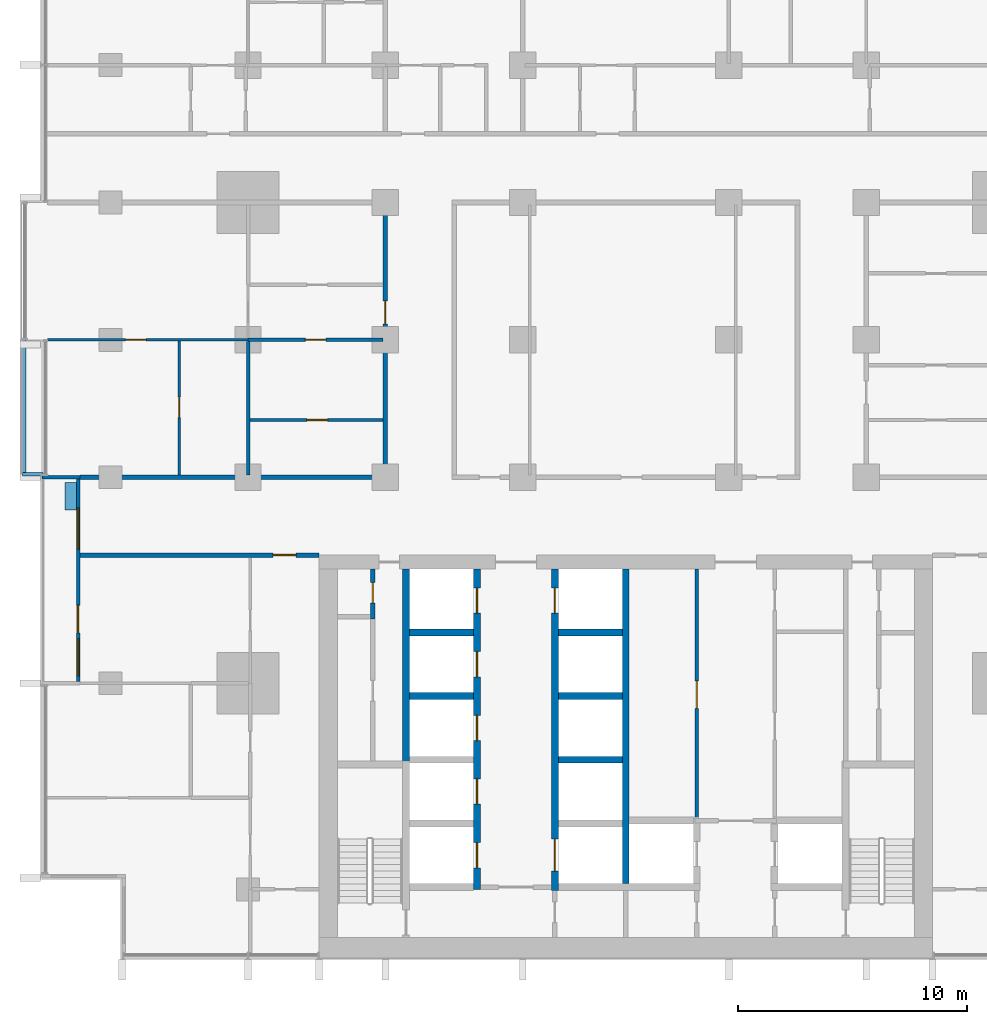
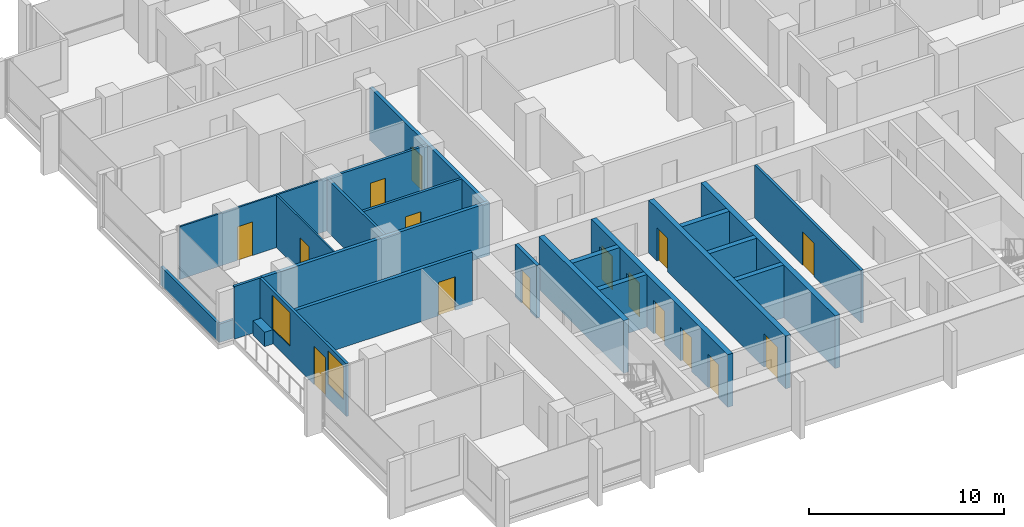
# One storey, part 8 of 19: 24 walls, 16 doors, 2 windows, 18 openings.
"""IFC4 building model written with IfcOpenShell, lengths in metres."""

from ifc_helpers import new_model, si_unit, direction, frame, frame_2d, origin, place, context, subcontext, project, spatial, rectangle, extrude, material, layer, layer_set, type_object, element, fill, save


model = new_model("IFC4")

# Units and contexts
model_context = context("Model", 3, precision=1e-05, world=origin(), true_north=direction((0.0, 1.0)))
body_context = subcontext(model_context, "Body", "Model", "MODEL_VIEW")
ifc_project = project(units=[si_unit("LENGTHUNIT", "METRE"), si_unit("AREAUNIT", "SQUARE_METRE"), si_unit("VOLUMEUNIT", "CUBIC_METRE"), si_unit("PLANEANGLEUNIT", "RADIAN"), si_unit("MASSUNIT", "GRAM", prefix="KILO")], contexts=[model_context])

# Site, building, storey
site_placement = place(None, origin())
site = spatial("IfcSite", under=ifc_project, at=site_placement, CompositionType="ELEMENT")
building_placement = place(site_placement, origin())
building = spatial("IfcBuilding", under=site, at=building_placement, Name="Finial Court Residences", CompositionType="ELEMENT")
storey_placement = place(building_placement, frame((0.0, 0.0, 88.300048828125)))
storey = spatial("IfcBuildingStorey", under=building, at=storey_placement, Name="L21", CompositionType="ELEMENT", Elevation=88.300048828125)

# Wall, opening, door
ifc_material_1 = material(Name="Fire-rated gypsum board partition")
ifc_layer_1 = layer(ifc_material_1, 0.14990234375)
ifc_layer_set_1 = layer_set([ifc_layer_1], Name="Core room partition 150 EI 60")
wall_type_1 = type_object("IfcWallType", Name="Core room partition 150 EI 60", PredefinedType="PARTITIONING", material=ifc_layer_set_1)
wall_1_placement = place(storey_placement, frame((3.10009765625, -19.39990234375, 0.0), z_axis=(0.0, 0.0, 1.0), x_axis=(0.0, 1.0, 0.0)))
wall_1 = element("IfcWall", 1, at=wall_1_placement, inside=storey, type_object=wall_type_1, Name="Core partition L21-32", PredefinedType="PARTITIONING", context=body_context, shape_type="SweptSolid", body=[
    extrude(rectangle(XDim=10.89990234375, YDim=0.14990234375, at=frame_2d((5.449951171875, 0.0))), origin(), (0.0, 0.0, 1.0), 3.300048828125),
])
opening_1_placement = place(wall_1_placement, frame((4.800048828125, 0.0, 0.0)))
opening_1 = element("IfcOpeningElement", 2, at=opening_1_placement, cuts=wall_1, Name="Opening L21-C14", PredefinedType="OPENING", context=body_context, shape_type="SweptSolid", body=[
    extrude(rectangle(XDim=1.199951171875, YDim=2.10009765625, at=frame_2d((0.60009765625, 1.050048828125))), frame((0.0, 0.0849609375, 0.0), z_axis=(0.0, -1.0, 0.0), x_axis=(1.0, 0.0, 0.0)), (0.0, 0.0, 1.0), 0.169921875),
])
ifc_material_2 = material(Name="Steel fire door", Category="steel")
door_type_1 = type_object("IfcDoorType", Name="Core room door 1200 x 2100 EI 60", OperationType="NOTDEFINED", PredefinedType="DOOR", material=ifc_material_2)
door_1_placement = place(opening_1_placement, origin())
door_1 = element("IfcDoor", 3, at=door_1_placement, inside=storey, type_object=door_type_1, Name="Core room door L21-C14", OperationType="SINGLE_SWING_LEFT", OverallHeight=2.10009765625, OverallWidth=1.199951171875, PredefinedType="DOOR", context=body_context, shape_type="SweptSolid", body=[
    extrude(rectangle(XDim=1.199951171875, YDim=2.10009765625, at=frame_2d((0.60009765625, 1.050048828125))), frame((0.0, 0.02490234375, 0.0), z_axis=(0.0, -1.0, 0.0), x_axis=(1.0, 0.0, 0.0)), (0.0, 0.0, 1.0), 0.050048828125),
])
fill(opening_1, door_1)

ifc_material_3 = material(Name="Gypsum board")
ifc_layer_2 = layer(ifc_material_3, 0.02490234375)
ifc_material_4 = material(Name="Acoustic mineral wool in double frame")
ifc_layer_3 = layer(ifc_material_4, 0.14990234375)
ifc_layer_4 = layer(ifc_material_3, 0.02490234375)
ifc_layer_set_2 = layer_set([ifc_layer_2, ifc_layer_3, ifc_layer_4], Name="Corridor wall 200, 1 hour")
wall_type_2 = type_object("IfcWallType", Name="Corridor wall 200, 1 hour", PredefinedType="PARTITIONING", material=ifc_layer_set_2)
wall_2_placement = place(storey_placement, frame((-23.85009765625, -7.89990234375, 0.0), z_axis=(0.0, 0.0, 1.0), x_axis=(1.0, 0.0, 0.0)))
wall_2 = element("IfcWall", 4, at=wall_2_placement, inside=storey, type_object=wall_type_2, Name="Partition L21-009", PredefinedType="PARTITIONING", context=body_context, shape_type="SweptSolid", body=[
    extrude(rectangle(XDim=10.4501953125, YDim=0.199951171875, at=frame_2d((5.22509765625, 0.0))), origin(), (0.0, 0.0, 1.0), 3.300048828125),
])
opening_2_placement = place(wall_2_placement, frame((8.449951171875, 0.0, 0.0)))
opening_2 = element("IfcOpeningElement", 5, at=opening_2_placement, cuts=wall_2, Name="Opening L21-D005", PredefinedType="OPENING", context=body_context, shape_type="SweptSolid", body=[
    extrude(rectangle(XDim=1.0, YDim=2.10009765625, at=frame_2d((0.5, 1.050048828125))), frame((0.0, 0.10986328125, 0.0), z_axis=(0.0, -1.0, 0.0), x_axis=(1.0, 0.0, 0.0)), (0.0, 0.0, 1.0), 0.219970703125),
])
ifc_material_5 = material(Name="Timber door leaf in hollow metal frame", Category="wood")
door_type_2 = type_object("IfcDoorType", Name="Fire door set 1000 x 2100, 30 minutes", OperationType="SINGLE_SWING_LEFT", PredefinedType="DOOR", material=ifc_material_5)
door_2_placement = place(opening_2_placement, origin())
door_2 = element("IfcDoor", 6, at=door_2_placement, inside=storey, type_object=door_type_2, Name="Door L21-D005", OperationType="SINGLE_SWING_RIGHT", OverallHeight=2.10009765625, OverallWidth=1.0, PredefinedType="DOOR", context=body_context, shape_type="SweptSolid", body=[
    extrude(rectangle(XDim=1.0, YDim=2.10009765625, at=frame_2d((0.5, 1.050048828125))), frame((0.0, 0.02490234375, 0.0), z_axis=(0.0, -1.0, 0.0), x_axis=(1.0, 0.0, 0.0)), (0.0, 0.0, 1.0), 0.050048828125),
])
fill(opening_2, door_2)

# Wall
wall_3_placement = place(storey_placement, frame((-23.85009765625, -4.5, 0.0), z_axis=(0.0, 0.0, 1.0), x_axis=(1.0, 0.0, 0.0)))
element("IfcWall", 7, at=wall_3_placement, inside=storey, type_object=wall_type_2, Name="Partition L21-011", PredefinedType="PARTITIONING", context=body_context, shape_type="SweptSolid", body=[
    extrude(rectangle(XDim=13.4501953125, YDim=0.199951171875, at=frame_2d((6.72509765625, 0.0))), origin(), (0.0, 0.0, 1.0), 3.300048828125),
])

# Wall, opening, door
wall_4_placement = place(storey_placement, frame((-10.5, -4.39990234375, 0.0), z_axis=(0.0, 0.0, 1.0), x_axis=(0.0, 1.0, 0.0)))
wall_4 = element("IfcWall", 8, at=wall_4_placement, inside=storey, type_object=wall_type_2, Name="Partition L21-054", PredefinedType="PARTITIONING", context=body_context, shape_type="SweptSolid", body=[
    extrude(rectangle(XDim=11.7998046875, YDim=0.199951171875, at=frame_2d((5.89990234375, 0.0))), origin(), (0.0, 0.0, 1.0), 3.300048828125),
])
opening_3_placement = place(wall_4_placement, frame((6.60009765625, 0.0, 0.0)))
opening_3 = element("IfcOpeningElement", 9, at=opening_3_placement, cuts=wall_4, Name="Opening L21-D039", PredefinedType="OPENING", context=body_context, shape_type="SweptSolid", body=[
    extrude(rectangle(XDim=1.0, YDim=2.10009765625, at=frame_2d((0.5, 1.050048828125))), frame((0.0, 0.10986328125, 0.0), z_axis=(0.0, -1.0, 0.0), x_axis=(1.0, 0.0, 0.0)), (0.0, 0.0, 1.0), 0.219970703125),
])
door_3_placement = place(opening_3_placement, origin())
door_3 = element("IfcDoor", 10, at=door_3_placement, inside=storey, type_object=door_type_2, Name="Door L21-D039", OperationType="SINGLE_SWING_LEFT", OverallHeight=2.10009765625, OverallWidth=1.0, PredefinedType="DOOR", context=body_context, shape_type="SweptSolid", body=[
    extrude(rectangle(XDim=1.0, YDim=2.10009765625, at=frame_2d((0.5, 1.050048828125))), frame((0.0, 0.02490234375, 0.0), z_axis=(0.0, -1.0, 0.0), x_axis=(1.0, 0.0, 0.0)), (0.0, 0.0, 1.0), 0.050048828125),
])
fill(opening_3, door_3)

ifc_layer_5 = layer(ifc_material_3, 0.012451171875)
ifc_material_6 = material(Name="Mineral wool in light-gauge frame")
ifc_layer_6 = layer(ifc_material_6, 0.074951171875)
ifc_layer_7 = layer(ifc_material_3, 0.012451171875)
ifc_layer_set_3 = layer_set([ifc_layer_5, ifc_layer_6, ifc_layer_7], Name="Gypsum board partition 100")
wall_type_3 = type_object("IfcWallType", Name="Gypsum board partition 100", PredefinedType="PARTITIONING", material=ifc_layer_set_3)
wall_5_placement = place(storey_placement, frame((-25.25, 1.5, 0.0), z_axis=(0.0, 0.0, 1.0), x_axis=(1.0, 0.0, 0.0)))
wall_5 = element("IfcWall", 11, at=wall_5_placement, inside=storey, type_object=wall_type_3, Name="Partition L21-017", PredefinedType="PARTITIONING", context=body_context, shape_type="SweptSolid", body=[
    extrude(rectangle(XDim=8.75, YDim=0.10009765625, at=frame_2d((4.375, 0.0))), origin(), (0.0, 0.0, 1.0), 3.300048828125),
])
opening_4_placement = place(wall_5_placement, frame((3.39990234375, 0.0, 0.0)))
opening_4 = element("IfcOpeningElement", 12, at=opening_4_placement, cuts=wall_5, Name="Opening L21-D013", PredefinedType="OPENING", context=body_context, shape_type="SweptSolid", body=[
    extrude(rectangle(XDim=0.89990234375, YDim=2.10009765625, at=frame_2d((0.449951171875, 1.050048828125))), frame((0.0, 0.06005859375, 0.0), z_axis=(0.0, -1.0, 0.0), x_axis=(1.0, 0.0, 0.0)), (0.0, 0.0, 1.0), 0.1201171875),
])
ifc_material_7 = material(Name="Timber door leaf in timber frame", Category="wood")
door_type_3 = type_object("IfcDoorType", Name="Door set 900 x 2100", OperationType="SINGLE_SWING_LEFT", PredefinedType="DOOR", material=ifc_material_7)
door_4_placement = place(opening_4_placement, origin())
door_4 = element("IfcDoor", 13, at=door_4_placement, inside=storey, type_object=door_type_3, Name="Door L21-D013", OperationType="SINGLE_SWING_LEFT", OverallHeight=2.10009765625, OverallWidth=0.89990234375, PredefinedType="DOOR", context=body_context, shape_type="SweptSolid", body=[
    extrude(rectangle(XDim=0.89990234375, YDim=2.10009765625, at=frame_2d((0.449951171875, 1.050048828125))), frame((0.0, 0.02490234375, 0.0), z_axis=(0.0, -1.0, 0.0), x_axis=(1.0, 0.0, 0.0)), (0.0, 0.0, 1.0), 0.050048828125),
])
fill(opening_4, door_4)

wall_6_placement = place(storey_placement, frame((-19.5, -4.39990234375, 0.0), z_axis=(0.0, 0.0, 1.0), x_axis=(0.0, 1.0, 0.0)))
wall_6 = element("IfcWall", 14, at=wall_6_placement, inside=storey, type_object=wall_type_3, Name="Partition L21-041", PredefinedType="PARTITIONING", context=body_context, shape_type="SweptSolid", body=[
    extrude(rectangle(XDim=5.849853515625, YDim=0.10009765625, at=frame_2d((2.9248046875, 0.0))), origin(), (0.0, 0.0, 1.0), 3.300048828125),
])
opening_5_placement = place(wall_6_placement, frame((2.5, 0.0, 0.0)))
opening_5 = element("IfcOpeningElement", 15, at=opening_5_placement, cuts=wall_6, Name="Opening L21-D031", PredefinedType="OPENING", context=body_context, shape_type="SweptSolid", body=[
    extrude(rectangle(XDim=0.89990234375, YDim=2.10009765625, at=frame_2d((0.449951171875, 1.050048828125))), frame((0.0, 0.06005859375, 0.0), z_axis=(0.0, -1.0, 0.0), x_axis=(1.0, 0.0, 0.0)), (0.0, 0.0, 1.0), 0.1201171875),
])
door_5_placement = place(opening_5_placement, origin())
door_5 = element("IfcDoor", 16, at=door_5_placement, inside=storey, type_object=door_type_3, Name="Door L21-D031", OperationType="SINGLE_SWING_LEFT", OverallHeight=2.10009765625, OverallWidth=0.89990234375, PredefinedType="DOOR", context=body_context, shape_type="SweptSolid", body=[
    extrude(rectangle(XDim=0.89990234375, YDim=2.10009765625, at=frame_2d((0.449951171875, 1.050048828125))), frame((0.0, 0.02490234375, 0.0), z_axis=(0.0, -1.0, 0.0), x_axis=(1.0, 0.0, 0.0)), (0.0, 0.0, 1.0), 0.050048828125),
])
fill(opening_5, door_5)

ifc_material_8 = material(Name="Moisture-resistant gypsum board")
ifc_layer_8 = layer(ifc_material_8, 0.012451171875)
ifc_layer_9 = layer(ifc_material_6, 0.125)
ifc_layer_10 = layer(ifc_material_8, 0.012451171875)
ifc_layer_set_4 = layer_set([ifc_layer_8, ifc_layer_9, ifc_layer_10], Name="Gypsum board wet-area partition 150")
wall_type_4 = type_object("IfcWallType", Name="Gypsum board wet-area partition 150", PredefinedType="PARTITIONING", material=ifc_layer_set_4)
wall_7_placement = place(storey_placement, frame((-16.425048828125, -2.0, 0.0), z_axis=(0.0, 0.0, 1.0), x_axis=(1.0, 0.0, 0.0)))
wall_7 = element("IfcWall", 17, at=wall_7_placement, inside=storey, type_object=wall_type_4, Name="Partition L21-014", PredefinedType="PARTITIONING", context=body_context, shape_type="SweptSolid", body=[
    extrude(rectangle(XDim=5.824951171875, YDim=0.14990234375, at=frame_2d((2.91259765625, 0.0))), origin(), (0.0, 0.0, 1.0), 3.300048828125),
])
opening_6_placement = place(wall_7_placement, frame((2.5, 0.0, 0.0)))
opening_6 = element("IfcOpeningElement", 18, at=opening_6_placement, cuts=wall_7, Name="Opening L21-D010", PredefinedType="OPENING", context=body_context, shape_type="SweptSolid", body=[
    extrude(rectangle(XDim=0.89990234375, YDim=2.10009765625, at=frame_2d((0.449951171875, 1.050048828125))), frame((0.0, 0.0849609375, 0.0), z_axis=(0.0, -1.0, 0.0), x_axis=(1.0, 0.0, 0.0)), (0.0, 0.0, 1.0), 0.169921875),
])
door_6_placement = place(opening_6_placement, origin())
door_6 = element("IfcDoor", 19, at=door_6_placement, inside=storey, type_object=door_type_3, Name="Door L21-D010", OperationType="SINGLE_SWING_RIGHT", OverallHeight=2.10009765625, OverallWidth=0.89990234375, PredefinedType="DOOR", context=body_context, shape_type="SweptSolid", body=[
    extrude(rectangle(XDim=0.89990234375, YDim=2.10009765625, at=frame_2d((0.449951171875, 1.050048828125))), frame((0.0, 0.02490234375, 0.0), z_axis=(0.0, -1.0, 0.0), x_axis=(1.0, 0.0, 0.0)), (0.0, 0.0, 1.0), 0.050048828125),
])
fill(opening_6, door_6)

wall_8_placement = place(storey_placement, frame((-16.5, 1.5, 0.0), z_axis=(0.0, 0.0, 1.0), x_axis=(1.0, 0.0, 0.0)))
wall_8 = element("IfcWall", 20, at=wall_8_placement, inside=storey, type_object=wall_type_4, Name="Partition L21-019", PredefinedType="PARTITIONING", context=body_context, shape_type="SweptSolid", body=[
    extrude(rectangle(XDim=5.89990234375, YDim=0.14990234375, at=frame_2d((2.949951171875, 0.0))), origin(), (0.0, 0.0, 1.0), 3.300048828125),
])
opening_7_placement = place(wall_8_placement, frame((2.5, 0.0, 0.0)))
opening_7 = element("IfcOpeningElement", 21, at=opening_7_placement, cuts=wall_8, Name="Opening L21-D015", PredefinedType="OPENING", context=body_context, shape_type="SweptSolid", body=[
    extrude(rectangle(XDim=0.89990234375, YDim=2.10009765625, at=frame_2d((0.449951171875, 1.050048828125))), frame((0.0, 0.0849609375, 0.0), z_axis=(0.0, -1.0, 0.0), x_axis=(1.0, 0.0, 0.0)), (0.0, 0.0, 1.0), 0.169921875),
])
door_7_placement = place(opening_7_placement, origin())
door_7 = element("IfcDoor", 22, at=door_7_placement, inside=storey, type_object=door_type_3, Name="Door L21-D015", OperationType="SINGLE_SWING_RIGHT", OverallHeight=2.10009765625, OverallWidth=0.89990234375, PredefinedType="DOOR", context=body_context, shape_type="SweptSolid", body=[
    extrude(rectangle(XDim=0.89990234375, YDim=2.10009765625, at=frame_2d((0.449951171875, 1.050048828125))), frame((0.0, 0.02490234375, 0.0), z_axis=(0.0, -1.0, 0.0), x_axis=(1.0, 0.0, 0.0)), (0.0, 0.0, 1.0), 0.050048828125),
])
fill(opening_7, door_7)

# Walls
wall_9_placement = place(storey_placement, frame((-16.5, -4.39990234375, 0.0), z_axis=(0.0, 0.0, 1.0), x_axis=(0.0, 1.0, 0.0)))
element("IfcWall", 23, at=wall_9_placement, inside=storey, type_object=wall_type_4, Name="Partition L21-047", PredefinedType="PARTITIONING", context=body_context, shape_type="SweptSolid", body=[
    extrude(rectangle(XDim=5.824951171875, YDim=0.14990234375, at=frame_2d((2.91259765625, 0.0))), origin(), (0.0, 0.0, 1.0), 3.300048828125),
])
ifc_material_9 = material(Name="Concrete C35/45", Category="concrete")
ifc_layer_11 = layer(ifc_material_9, 0.14990234375)
ifc_layer_set_5 = layer_set([ifc_layer_11], Name="Ledge parapet, Concrete C35/45 150")
wall_type_5 = type_object("IfcWallType", Name="Ledge parapet, Concrete C35/45 150", PredefinedType="PARAPET", material=ifc_layer_set_5)
wall_10_placement = place(storey_placement, frame((-25.4599609375, -4.375, 0.0), z_axis=(0.0, 0.0, 1.0), x_axis=(-1.0, 0.0, 0.0)))
element("IfcWall", 24, at=wall_10_placement, inside=storey, type_object=wall_type_5, Name="E-L21-LED3-P1", PredefinedType="PARAPET", context=body_context, shape_type="SweptSolid", body=[
    extrude(rectangle(XDim=0.89013671875, YDim=0.14990234375, at=frame_2d((0.445068359375, 0.0))), origin(), (0.0, 0.0, 1.0), 1.14990234375),
])
wall_11_placement = place(storey_placement, frame((-26.27490234375, -4.300048828125, 0.0), z_axis=(0.0, 0.0, 1.0), x_axis=(0.0, 1.0, 0.0)))
element("IfcWall", 25, at=wall_11_placement, inside=storey, type_object=wall_type_5, Name="E-L21-LED3-P2", PredefinedType="PARAPET", context=body_context, shape_type="SweptSolid", body=[
    extrude(rectangle(XDim=5.840087890625, YDim=0.14990234375, at=frame_2d((2.919921875, 0.0))), origin(), (0.0, 0.0, 1.0), 1.14990234375),
])
ifc_material_10 = material(Name="Concrete C70/85", Category="concrete")
ifc_layer_12 = layer(ifc_material_10, 0.300048828125)
ifc_layer_set_6 = layer_set([ifc_layer_12], Name="Lift shaft and stair wall 300 Concrete C70/85")
wall_type_6 = type_object("IfcWallType", Name="Lift shaft and stair wall 300 Concrete C70/85", PredefinedType="SHEAR", material=ifc_layer_set_6)
for number, where, z_axis, x_axis, name in (
    (26, (-2.949951171875, -16.840087890625, 0.0), (0.0, 0.0, 1.0), (1.0, 0.0, 0.0), "Core wall L21-13"),
    (27, (-9.449951171875, -14.06005859375, 0.0), (0.0, 0.0, 1.0), (1.0, 0.0, 0.0), "Core wall L21-14"),
    (28, (-2.949951171875, -14.06005859375, 0.0), (0.0, 0.0, 1.0), (1.0, 0.0, 0.0), "Core wall L21-15"),
    (29, (-9.449951171875, -11.280029296875, 0.0), (0.0, 0.0, 1.0), (1.0, 0.0, 0.0), "Core wall L21-17"),
    (30, (-2.949951171875, -11.280029296875, 0.0), (0.0, 0.0, 1.0), (1.0, 0.0, 0.0), "Core wall L21-18"),
):
    element("IfcWall", number, at=place(storey_placement, frame(where, z_axis=z_axis, x_axis=x_axis)), inside=storey, type_object=wall_type_6, Name=name, PredefinedType="SHEAR", context=body_context, shape_type="SweptSolid", body=[
        extrude(rectangle(XDim=2.800048828125, YDim=0.300048828125, at=frame_2d((1.39990234375, 0.0))), origin(), (0.0, 0.0, 1.0), 3.300048828125),
    ])
wall_12_placement = place(storey_placement, frame((-9.60009765625, -17.199951171875, 0.0), z_axis=(0.0, 0.0, 1.0), x_axis=(0.0, 1.0, 0.0)))
element("IfcWall", 31, at=wall_12_placement, inside=storey, type_object=wall_type_6, Name="Core wall L21-24", PredefinedType="SHEAR", context=body_context, shape_type="SweptSolid", body=[
    extrude(rectangle(XDim=8.699951171875, YDim=0.300048828125, at=frame_2d((4.35009765625, 0.0))), origin(), (0.0, 0.0, 1.0), 3.300048828125),
])

# Wall, openings, doors
wall_13_placement = place(storey_placement, frame((-6.5, -22.5, 0.0), z_axis=(0.0, 0.0, 1.0), x_axis=(0.0, 1.0, 0.0)))
wall_13 = element("IfcWall", 32, at=wall_13_placement, inside=storey, type_object=wall_type_6, Name="Core wall L21-25", PredefinedType="SHEAR", context=body_context, shape_type="SweptSolid", body=[
    extrude(rectangle(XDim=14.0, YDim=0.300048828125, at=frame_2d((7.0, 0.0))), origin(), (0.0, 0.0, 1.0), 3.300048828125),
])
opening_8_placement = place(wall_13_placement, frame((0.93994140625, 0.0, 0.0)))
opening_8 = element("IfcOpeningElement", 33, at=opening_8_placement, cuts=wall_13, Name="Opening L21-LD03", PredefinedType="OPENING", context=body_context, shape_type="SweptSolid", body=[
    extrude(rectangle(XDim=1.10009765625, YDim=2.10009765625, at=frame_2d((0.550048828125, 1.050048828125))), frame((0.0, 0.159912109375, 0.0), z_axis=(0.0, -1.0, 0.0), x_axis=(1.0, 0.0, 0.0)), (0.0, 0.0, 1.0), 0.320068359375),
])
opening_9_placement = place(wall_13_placement, frame((3.719970703125, 0.0, 0.0)))
opening_9 = element("IfcOpeningElement", 34, at=opening_9_placement, cuts=wall_13, Name="Opening L21-LD04", PredefinedType="OPENING", context=body_context, shape_type="SweptSolid", body=[
    extrude(rectangle(XDim=1.10009765625, YDim=2.10009765625, at=frame_2d((0.550048828125, 1.050048828125))), frame((0.0, 0.159912109375, 0.0), z_axis=(0.0, -1.0, 0.0), x_axis=(1.0, 0.0, 0.0)), (0.0, 0.0, 1.0), 0.320068359375),
])
opening_10_placement = place(wall_13_placement, frame((6.5, 0.0, 0.0)))
opening_10 = element("IfcOpeningElement", 35, at=opening_10_placement, cuts=wall_13, Name="Opening L21-LD05", PredefinedType="OPENING", context=body_context, shape_type="SweptSolid", body=[
    extrude(rectangle(XDim=1.10009765625, YDim=2.10009765625, at=frame_2d((0.550048828125, 1.050048828125))), frame((0.0, 0.159912109375, 0.0), z_axis=(0.0, -1.0, 0.0), x_axis=(1.0, 0.0, 0.0)), (0.0, 0.0, 1.0), 0.320068359375),
])
opening_11_placement = place(wall_13_placement, frame((9.280029296875, 0.0, 0.0)))
opening_11 = element("IfcOpeningElement", 36, at=opening_11_placement, cuts=wall_13, Name="Opening L21-LD06", PredefinedType="OPENING", context=body_context, shape_type="SweptSolid", body=[
    extrude(rectangle(XDim=1.10009765625, YDim=2.10009765625, at=frame_2d((0.550048828125, 1.050048828125))), frame((0.0, 0.159912109375, 0.0), z_axis=(0.0, -1.0, 0.0), x_axis=(1.0, 0.0, 0.0)), (0.0, 0.0, 1.0), 0.320068359375),
])
opening_12_placement = place(wall_13_placement, frame((12.06005859375, 0.0, 0.0)))
opening_12 = element("IfcOpeningElement", 37, at=opening_12_placement, cuts=wall_13, Name="Opening L21-LD07", PredefinedType="OPENING", context=body_context, shape_type="SweptSolid", body=[
    extrude(rectangle(XDim=1.10009765625, YDim=2.10009765625, at=frame_2d((0.550048828125, 1.050048828125))), frame((0.0, 0.159912109375, 0.0), z_axis=(0.0, -1.0, 0.0), x_axis=(1.0, 0.0, 0.0)), (0.0, 0.0, 1.0), 0.320068359375),
])
ifc_material_11 = material(Name="Stainless steel lift door", Category="steel")
door_type_4 = type_object("IfcDoorType", Name="Lift landing door 1100 x 2100 EI 90", OperationType="DOUBLE_DOOR_SLIDING", PredefinedType="DOOR", material=ifc_material_11)
door_8_placement = place(opening_8_placement, origin())
door_8 = element("IfcDoor", 38, at=door_8_placement, inside=storey, type_object=door_type_4, Name="Lift landing door LR1 L21", OperationType="DOUBLE_DOOR_SLIDING", OverallHeight=2.10009765625, OverallWidth=1.10009765625, PredefinedType="DOOR", context=body_context, shape_type="SweptSolid", body=[
    extrude(rectangle(XDim=1.10009765625, YDim=2.10009765625, at=frame_2d((0.550048828125, 1.050048828125))), frame((0.0, 0.02490234375, 0.0), z_axis=(0.0, -1.0, 0.0), x_axis=(1.0, 0.0, 0.0)), (0.0, 0.0, 1.0), 0.050048828125),
])
fill(opening_8, door_8)
door_9_placement = place(opening_9_placement, origin())
door_9 = element("IfcDoor", 39, at=door_9_placement, inside=storey, type_object=door_type_4, Name="Lift landing door LR2 L21", OperationType="DOUBLE_DOOR_SLIDING", OverallHeight=2.10009765625, OverallWidth=1.10009765625, PredefinedType="DOOR", context=body_context, shape_type="SweptSolid", body=[
    extrude(rectangle(XDim=1.10009765625, YDim=2.10009765625, at=frame_2d((0.550048828125, 1.050048828125))), frame((0.0, 0.02490234375, 0.0), z_axis=(0.0, -1.0, 0.0), x_axis=(1.0, 0.0, 0.0)), (0.0, 0.0, 1.0), 0.050048828125),
])
fill(opening_9, door_9)
door_10_placement = place(opening_10_placement, origin())
door_10 = element("IfcDoor", 40, at=door_10_placement, inside=storey, type_object=door_type_4, Name="Lift landing door LR3 L21", OperationType="DOUBLE_DOOR_SLIDING", OverallHeight=2.10009765625, OverallWidth=1.10009765625, PredefinedType="DOOR", context=body_context, shape_type="SweptSolid", body=[
    extrude(rectangle(XDim=1.10009765625, YDim=2.10009765625, at=frame_2d((0.550048828125, 1.050048828125))), frame((0.0, 0.02490234375, 0.0), z_axis=(0.0, -1.0, 0.0), x_axis=(1.0, 0.0, 0.0)), (0.0, 0.0, 1.0), 0.050048828125),
])
fill(opening_10, door_10)
door_11_placement = place(opening_11_placement, origin())
door_11 = element("IfcDoor", 41, at=door_11_placement, inside=storey, type_object=door_type_4, Name="Lift landing door LR4 L21", OperationType="DOUBLE_DOOR_SLIDING", OverallHeight=2.10009765625, OverallWidth=1.10009765625, PredefinedType="DOOR", context=body_context, shape_type="SweptSolid", body=[
    extrude(rectangle(XDim=1.10009765625, YDim=2.10009765625, at=frame_2d((0.550048828125, 1.050048828125))), frame((0.0, 0.02490234375, 0.0), z_axis=(0.0, -1.0, 0.0), x_axis=(1.0, 0.0, 0.0)), (0.0, 0.0, 1.0), 0.050048828125),
])
fill(opening_11, door_11)
door_12_placement = place(opening_12_placement, origin())
door_12 = element("IfcDoor", 42, at=door_12_placement, inside=storey, type_object=door_type_4, Name="Lift landing door LR5 L21", OperationType="DOUBLE_DOOR_SLIDING", OverallHeight=2.10009765625, OverallWidth=1.10009765625, PredefinedType="DOOR", context=body_context, shape_type="SweptSolid", body=[
    extrude(rectangle(XDim=1.10009765625, YDim=2.10009765625, at=frame_2d((0.550048828125, 1.050048828125))), frame((0.0, 0.02490234375, 0.0), z_axis=(0.0, -1.0, 0.0), x_axis=(1.0, 0.0, 0.0)), (0.0, 0.0, 1.0), 0.050048828125),
])
fill(opening_12, door_12)

wall_14_placement = place(storey_placement, frame((-3.10009765625, -22.550048828125, 0.0), z_axis=(0.0, 0.0, 1.0), x_axis=(0.0, 1.0, 0.0)))
wall_14 = element("IfcWall", 43, at=wall_14_placement, inside=storey, type_object=wall_type_6, Name="Core wall L21-27", PredefinedType="SHEAR", context=body_context, shape_type="SweptSolid", body=[
    extrude(rectangle(XDim=14.050048828125, YDim=0.300048828125, at=frame_2d((7.02490234375, 0.0))), origin(), (0.0, 0.0, 1.0), 3.300048828125),
])
opening_13_placement = place(wall_14_placement, frame((12.110107421875, 0.0, 0.0)))
opening_13 = element("IfcOpeningElement", 44, at=opening_13_placement, cuts=wall_14, Name="Opening L21-LD08", PredefinedType="OPENING", context=body_context, shape_type="SweptSolid", body=[
    extrude(rectangle(XDim=1.10009765625, YDim=2.10009765625, at=frame_2d((0.550048828125, 1.050048828125))), frame((0.0, 0.159912109375, 0.0), z_axis=(0.0, -1.0, 0.0), x_axis=(1.0, 0.0, 0.0)), (0.0, 0.0, 1.0), 0.320068359375),
])
opening_14_placement = place(wall_14_placement, frame((0.840087890625, 0.0, 0.0)))
opening_14 = element("IfcOpeningElement", 45, at=opening_14_placement, cuts=wall_14, Name="Opening L21-LD09", PredefinedType="OPENING", context=body_context, shape_type="SweptSolid", body=[
    extrude(rectangle(XDim=1.39990234375, YDim=2.10009765625, at=frame_2d((0.699951171875, 1.050048828125))), frame((0.0, 0.159912109375, 0.0), z_axis=(0.0, -1.0, 0.0), x_axis=(1.0, 0.0, 0.0)), (0.0, 0.0, 1.0), 0.320068359375),
])
door_13_placement = place(opening_13_placement, origin())
door_13 = element("IfcDoor", 46, at=door_13_placement, inside=storey, type_object=door_type_4, Name="Lift landing door LR6 L21", OperationType="DOUBLE_DOOR_SLIDING", OverallHeight=2.10009765625, OverallWidth=1.10009765625, PredefinedType="DOOR", context=body_context, shape_type="SweptSolid", body=[
    extrude(rectangle(XDim=1.10009765625, YDim=2.10009765625, at=frame_2d((0.550048828125, 1.050048828125))), frame((0.0, 0.02490234375, 0.0), z_axis=(0.0, -1.0, 0.0), x_axis=(1.0, 0.0, 0.0)), (0.0, 0.0, 1.0), 0.050048828125),
])
fill(opening_13, door_13)
door_type_5 = type_object("IfcDoorType", Name="Lift landing door 1400 x 2100 EI 90", OperationType="DOUBLE_DOOR_SLIDING", PredefinedType="DOOR", material=ifc_material_11)
door_14_placement = place(opening_14_placement, origin())
door_14 = element("IfcDoor", 47, at=door_14_placement, inside=storey, type_object=door_type_5, Name="Lift landing door SV1 L21", OperationType="DOUBLE_DOOR_SLIDING", OverallHeight=2.10009765625, OverallWidth=1.39990234375, PredefinedType="DOOR", context=body_context, shape_type="SweptSolid", body=[
    extrude(rectangle(XDim=1.39990234375, YDim=2.10009765625, at=frame_2d((0.699951171875, 1.050048828125))), frame((0.0, 0.02490234375, 0.0), z_axis=(0.0, -1.0, 0.0), x_axis=(1.0, 0.0, 0.0)), (0.0, 0.0, 1.0), 0.050048828125),
])
fill(opening_14, door_14)

# Walls
wall_15_placement = place(storey_placement, frame((0.0, -22.25, 0.0), z_axis=(0.0, 0.0, 1.0), x_axis=(0.0, 1.0, 0.0)))
element("IfcWall", 48, at=wall_15_placement, inside=storey, type_object=wall_type_6, Name="Core wall L21-29", PredefinedType="SHEAR", context=body_context, shape_type="SweptSolid", body=[
    extrude(rectangle(XDim=13.75, YDim=0.300048828125, at=frame_2d((6.875, 0.0))), origin(), (0.0, 0.0, 1.0), 3.300048828125),
])
ifc_material_12 = material(Name="Natural limestone", Category="masonry")
ifc_layer_13 = layer(ifc_material_12, 0.14990234375)
ifc_layer_set_7 = layer_set([ifc_layer_13], Name="Limestone clad wall 150")
wall_type_7 = type_object("IfcWallType", Name="Limestone clad wall 150", PredefinedType="SOLIDWALL", material=ifc_layer_set_7)
wall_16_placement = place(storey_placement, frame((-23.85009765625, -4.5, 0.0), z_axis=(0.0, 0.0, 1.0), x_axis=(-1.0, 0.0, 0.0)))
element("IfcWall", 49, at=wall_16_placement, inside=storey, type_object=wall_type_7, Name="E-L21-BALW2-P2", PredefinedType="SOLIDWALL", context=body_context, shape_type="SweptSolid", body=[
    extrude(rectangle(XDim=1.64990234375, YDim=0.14990234375, at=frame_2d((0.824951171875, 0.0))), origin(), (0.0, 0.0, 1.0), 3.300048828125),
])

# Wall, openings, door, windows
wall_17_placement = place(storey_placement, frame((-23.925048828125, -13.425048828125, 0.0), z_axis=(0.0, 0.0, 1.0), x_axis=(0.0, 1.0, 0.0)))
wall_17 = element("IfcWall", 50, at=wall_17_placement, inside=storey, type_object=wall_type_7, Name="E-L21-L21-BALW2-W", PredefinedType="SOLIDWALL", context=body_context, shape_type="SweptSolid", body=[
    extrude(rectangle(XDim=8.85009765625, YDim=0.14990234375, at=frame_2d((4.425048828125, 0.0))), origin(), (0.0, 0.0, 1.0), 3.300048828125),
])
opening_15_placement = place(wall_17_placement, frame((2.125, 0.0, 0.0)))
opening_15 = element("IfcOpeningElement", 51, at=opening_15_placement, cuts=wall_17, Name="Opening DE21-04", PredefinedType="OPENING", context=body_context, shape_type="SweptSolid", body=[
    extrude(rectangle(XDim=1.199951171875, YDim=2.39990234375, at=frame_2d((0.60009765625, 1.199951171875))), frame((0.0, 0.0849609375, 0.0), z_axis=(0.0, -1.0, 0.0), x_axis=(1.0, 0.0, 0.0)), (0.0, 0.0, 1.0), 0.169921875),
])
opening_16_placement = place(wall_17_placement, frame((0.25, 0.0, 0.89990234375)))
opening_16 = element("IfcOpeningElement", 52, at=opening_16_placement, cuts=wall_17, Name="Opening WE21-14", PredefinedType="OPENING", context=body_context, shape_type="SweptSolid", body=[
    extrude(rectangle(XDim=1.625, YDim=2.10009765625, at=frame_2d((0.8125, 1.050048828125))), frame((0.0, 0.0849609375, 0.0), z_axis=(0.0, -1.0, 0.0), x_axis=(1.0, 0.0, 0.0)), (0.0, 0.0, 1.0), 0.169921875),
])
opening_17_placement = place(wall_17_placement, frame((5.775390625, 0.0, 0.89990234375)))
opening_17 = element("IfcOpeningElement", 53, at=opening_17_placement, cuts=wall_17, Name="Opening WE21-15", PredefinedType="OPENING", context=body_context, shape_type="SweptSolid", body=[
    extrude(rectangle(XDim=1.81201171875, YDim=2.10009765625, at=frame_2d((0.906005859375, 1.050048828125))), frame((0.0, 0.0849609375, 0.0), z_axis=(0.0, -1.0, 0.0), x_axis=(1.0, 0.0, 0.0)), (0.0, 0.0, 1.0), 0.169921875),
])
ifc_material_13 = material(Name="Bronze anodised aluminium", Category="aluminium")
door_type_6 = type_object("IfcDoorType", Name="Balcony door 1200 x 2400", OperationType="SINGLE_SWING_LEFT", PredefinedType="DOOR", material=ifc_material_13)
door_15_placement = place(opening_15_placement, origin())
door_15 = element("IfcDoor", 54, at=door_15_placement, inside=storey, type_object=door_type_6, Name="E-L21-L21-BALW2-W-D", OperationType="SINGLE_SWING_LEFT", OverallHeight=2.39990234375, OverallWidth=1.199951171875, PredefinedType="DOOR", context=body_context, shape_type="SweptSolid", body=[
    extrude(rectangle(XDim=1.199951171875, YDim=2.39990234375, at=frame_2d((0.60009765625, 1.199951171875))), frame((0.0, 0.02490234375, 0.0), z_axis=(0.0, -1.0, 0.0), x_axis=(1.0, 0.0, 0.0)), (0.0, 0.0, 1.0), 0.050048828125),
])
fill(opening_15, door_15)
ifc_material_14 = material(Name="Clear low-e glass", Category="glass")
window_type_1 = type_object("IfcWindowType", Name="Balcony window 1625 x 2100", PartitioningType="SINGLE_PANEL", PredefinedType="WINDOW", material=ifc_material_14)
window_1_placement = place(opening_16_placement, origin())
window_1 = element("IfcWindow", 55, at=window_1_placement, inside=storey, type_object=window_type_1, Name="E-L21-L21-BALW2-W-W1", OverallHeight=2.10009765625, OverallWidth=1.625, PartitioningType="SINGLE_PANEL", PredefinedType="WINDOW", context=body_context, shape_type="SweptSolid", body=[
    extrude(rectangle(XDim=1.625, YDim=2.10009765625, at=frame_2d((0.8125, 1.050048828125))), frame((0.0, 0.030029296875, 0.0), z_axis=(0.0, -1.0, 0.0), x_axis=(1.0, 0.0, 0.0)), (0.0, 0.0, 1.0), 0.06005859375),
])
fill(opening_16, window_1)
window_type_2 = type_object("IfcWindowType", Name="Balcony window 1812 x 2100", PartitioningType="SINGLE_PANEL", PredefinedType="WINDOW", material=ifc_material_14)
window_2_placement = place(opening_17_placement, origin())
window_2 = element("IfcWindow", 56, at=window_2_placement, inside=storey, type_object=window_type_2, Name="E-L21-L21-BALW2-W-W2", OverallHeight=2.10009765625, OverallWidth=1.81201171875, PartitioningType="SINGLE_PANEL", PredefinedType="WINDOW", context=body_context, shape_type="SweptSolid", body=[
    extrude(rectangle(XDim=1.81201171875, YDim=2.10009765625, at=frame_2d((0.906005859375, 1.050048828125))), frame((0.0, 0.030029296875, 0.0), z_axis=(0.0, -1.0, 0.0), x_axis=(1.0, 0.0, 0.0)), (0.0, 0.0, 1.0), 0.06005859375),
])
fill(opening_17, window_2)

# Wall
ifc_material_15 = material(Name="Concrete C40/50", Category="concrete")
ifc_layer_14 = layer(ifc_material_15, 0.10009765625)
ifc_material_16 = material(Name="Planting soil", Category="soil")
ifc_layer_15 = layer(ifc_material_16, 0.300048828125)
ifc_layer_16 = layer(ifc_material_15, 0.10009765625)
ifc_layer_set_8 = layer_set([ifc_layer_14, ifc_layer_15, ifc_layer_16], Name="Planter wall, balcony")
wall_type_8 = type_object("IfcWallType", Name="Planter wall, balcony", PredefinedType="USERDEFINED", material=ifc_layer_set_8)
wall_18_placement = place(storey_placement, frame((-24.25, -5.925048828125, 0.0), z_axis=(0.0, 0.0, 1.0), x_axis=(0.0, 1.0, 0.0)))
element("IfcWall", 57, at=wall_18_placement, inside=storey, type_object=wall_type_8, Name="E-L21-BALW2-PL", ObjectType="PLANTER", PredefinedType="USERDEFINED", context=body_context, shape_type="SweptSolid", body=[
    extrude(rectangle(XDim=1.199951171875, YDim=0.5, at=frame_2d((0.60009765625, 0.0))), origin(), (0.0, 0.0, 1.0), 0.89990234375),
])

# Wall, opening, door
ifc_layer_17 = layer(ifc_material_1, 0.199951171875)
ifc_layer_set_9 = layer_set([ifc_layer_17], Name="Riser room wall 200 EI 120")
wall_type_9 = type_object("IfcWallType", Name="Riser room wall 200 EI 120", PredefinedType="PARTITIONING", material=ifc_layer_set_9)
wall_19_placement = place(storey_placement, frame((-11.050048828125, -10.699951171875, 0.0), z_axis=(0.0, 0.0, 1.0), x_axis=(0.0, 1.0, 0.0)))
wall_19 = element("IfcWall", 58, at=wall_19_placement, inside=storey, type_object=wall_type_9, Name="Core partition L21-22", PredefinedType="PARTITIONING", context=body_context, shape_type="SweptSolid", body=[
    extrude(rectangle(XDim=2.199951171875, YDim=0.199951171875, at=frame_2d((1.10009765625, 0.0))), origin(), (0.0, 0.0, 1.0), 3.300048828125),
])
opening_18_placement = place(wall_19_placement, frame((0.699951171875, 0.0, 0.0)))
opening_18 = element("IfcOpeningElement", 59, at=opening_18_placement, cuts=wall_19, Name="Opening L21-C07", PredefinedType="OPENING", context=body_context, shape_type="SweptSolid", body=[
    extrude(rectangle(XDim=0.89990234375, YDim=2.10009765625, at=frame_2d((0.449951171875, 1.050048828125))), frame((0.0, 0.10986328125, 0.0), z_axis=(0.0, -1.0, 0.0), x_axis=(1.0, 0.0, 0.0)), (0.0, 0.0, 1.0), 0.219970703125),
])
door_type_7 = type_object("IfcDoorType", Name="Riser room door 900 x 2100 EI 90", OperationType="NOTDEFINED", PredefinedType="DOOR", material=ifc_material_2)
door_16_placement = place(opening_18_placement, origin())
door_16 = element("IfcDoor", 60, at=door_16_placement, inside=storey, type_object=door_type_7, Name="Riser room door L21-C07", OperationType="SINGLE_SWING_LEFT", OverallHeight=2.10009765625, OverallWidth=0.89990234375, PredefinedType="DOOR", context=body_context, shape_type="SweptSolid", body=[
    extrude(rectangle(XDim=0.89990234375, YDim=2.10009765625, at=frame_2d((0.449951171875, 1.050048828125))), frame((0.0, 0.02490234375, 0.0), z_axis=(0.0, -1.0, 0.0), x_axis=(1.0, 0.0, 0.0)), (0.0, 0.0, 1.0), 0.050048828125),
])
fill(opening_18, door_16)

save(model, "model.ifc")
